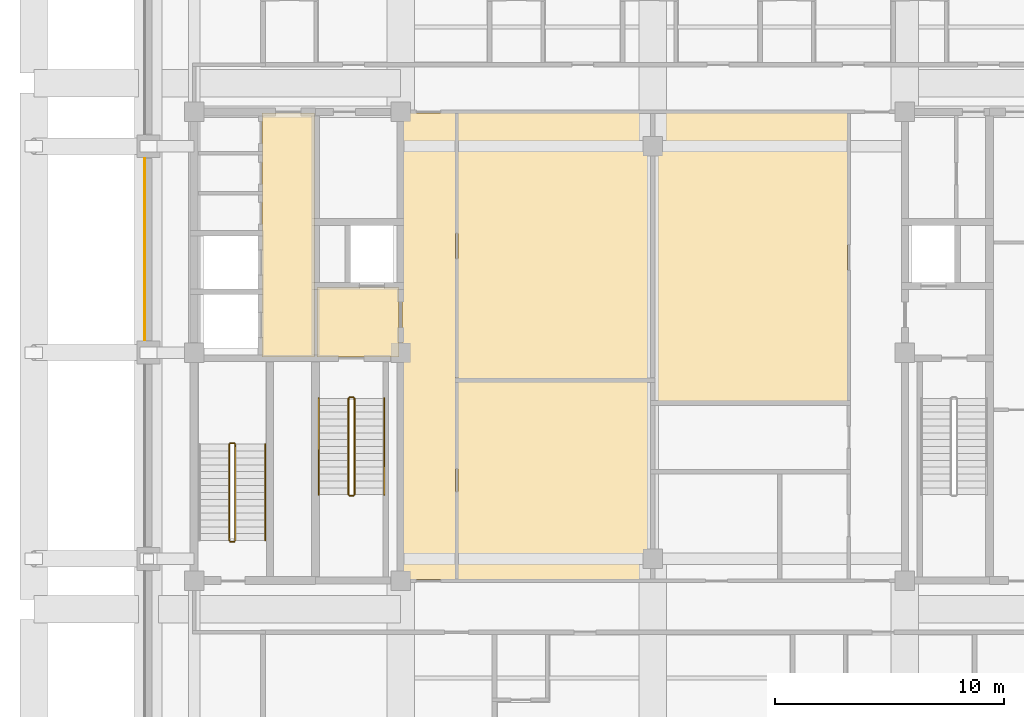
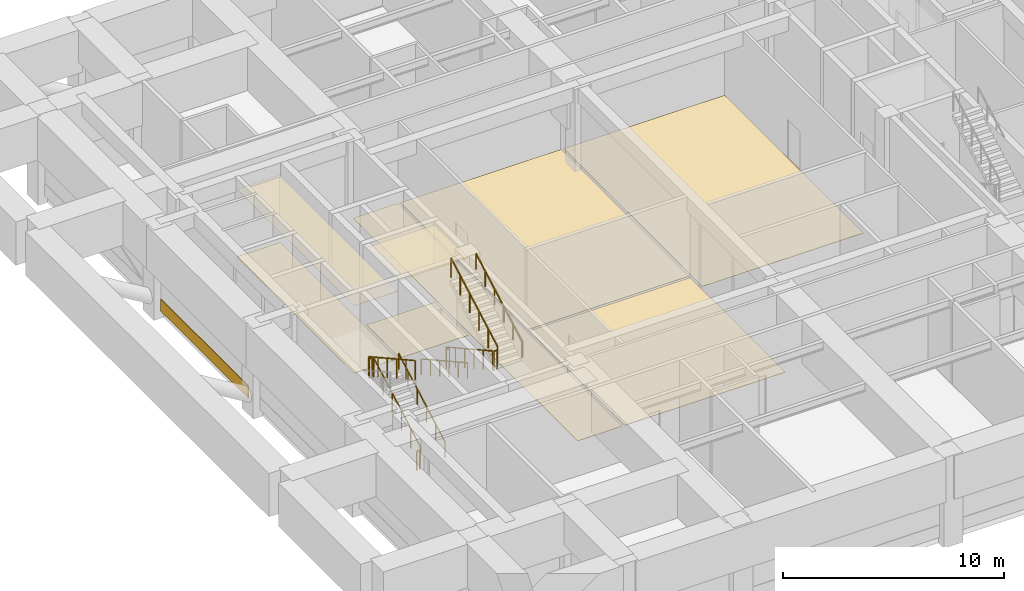
# One storey, part 9 of 11: 11 railings, 9 coverings.
"""IFC4 building model written with IfcOpenShell, lengths in metres."""

from ifc_helpers import new_model, si_unit, direction, frame, frame_2d, origin, origin_2d, place, context, subcontext, project, spatial, polyline, rectangle, outline, extrude, material, layer, layer_set, type_object, element, save


model = new_model("IFC4")

# Units and contexts
model_context = context("Model", 3, precision=1e-05, world=origin(), true_north=direction((0.0, 1.0)))
body_context = subcontext(model_context, "Body", "Model", "MODEL_VIEW")
ifc_project = project(units=[si_unit("LENGTHUNIT", "METRE"), si_unit("AREAUNIT", "SQUARE_METRE"), si_unit("VOLUMEUNIT", "CUBIC_METRE"), si_unit("PLANEANGLEUNIT", "RADIAN"), si_unit("MASSUNIT", "GRAM", prefix="KILO")], contexts=[model_context])

# Site, building, storey
site_placement = place(None, origin())
site = spatial("IfcSite", under=ifc_project, at=site_placement, CompositionType="ELEMENT")
building_placement = place(site_placement, origin())
building = spatial("IfcBuilding", under=site, at=building_placement, Name="Zulmaris Gate Convention Tower", CompositionType="ELEMENT")
storey_placement = place(building_placement, frame((0.0, 0.0, 186.4599609375)))
storey = spatial("IfcBuildingStorey", under=building, at=storey_placement, Name="L48", CompositionType="ELEMENT", Elevation=186.4599609375)

# Coverings
ifc_material_1 = material(Name="Precast concrete C40/50", Category="concrete")
ifc_layer_1 = layer(ifc_material_1, 0.0400390625, Name="Precast concrete C40/50")
ifc_layer_set_1 = layer_set([ifc_layer_1], Name="Precast concrete C40/50")
covering_type_1 = type_object("IfcCoveringType", Name="CLAD-SPANDREL-PRECAST", PredefinedType="CLADDING", material=ifc_layer_set_1)
covering_1_placement = place(storey_placement, frame((-22.14990234375, 8.469970703125, 0.0), z_axis=(0.0, 0.0, 1.0), x_axis=(0.0, -1.0, 0.0)))
element("IfcCovering", 1, at=covering_1_placement, inside=storey, type_object=covering_type_1, Name="CLD-L48-W-2_0", PredefinedType="CLADDING", context=body_context, shape_type="SweptSolid", body=[
    extrude(rectangle(XDim=7.93994140625, YDim=0.0400390625, at=frame_2d((3.969970703125, 0.0))), origin(), (0.0, 0.0, 1.0), 0.679931640625),
])
ifc_material_2 = material(Name="Mineral Fibre Acoustic Ceiling Tile")
ifc_layer_2 = layer(ifc_material_2, 0.02001953125, Name="Mineral Fibre Acoustic Ceiling Tile")
ifc_layer_set_2 = layer_set([ifc_layer_2], Name="Mineral Fibre Acoustic Ceiling Tile")
covering_type_2 = type_object("IfcCoveringType", Name="CLG-ACOUSTIC-600", PredefinedType="CEILING", material=ifc_layer_set_2)
covering_2_placement = place(storey_placement, frame((0.0, 0.0, 4.294921875)))
element("IfcCovering", 2, at=covering_2_placement, inside=storey, type_object=covering_type_2, Name="CLG-L48-R03", PredefinedType="CEILING", context=body_context, shape_type="SweptSolid", body=[
    extrude(outline(polyline([(-14.639892578125, -0.18994140625), (-11.06005859375, -0.18994140625), (-11.06005859375, 2.840087890625), (-14.639892578125, 2.840087890625), (-14.639892578125, -0.18994140625)])), origin(), (0.0, 0.0, 1.0), 0.02001953125),
])
covering_3_placement = place(storey_placement, frame((0.0, 0.0, 3.735107421875)))
element("IfcCovering", 3, at=covering_3_placement, inside=storey, type_object=covering_type_2, Name="CLG-L48-R18", PredefinedType="CEILING", context=body_context, shape_type="SweptSolid", body=[
    extrude(outline(polyline([(-17.0400390625, -0.18994140625), (-14.760009765625, -0.18994140625), (-14.760009765625, 10.43994140625), (-17.0400390625, 10.43994140625), (-17.0400390625, -0.18994140625)])), origin(), (0.0, 0.0, 1.0), 0.02001953125),
])
ifc_material_3 = material(Name="Woven Acoustic Wool Carpet Tile")
ifc_layer_3 = layer(ifc_material_3, 0.02001953125, Name="Woven Acoustic Wool Carpet Tile")
ifc_layer_set_3 = layer_set([ifc_layer_3], Name="Woven Acoustic Wool Carpet Tile")
covering_type_3 = type_object("IfcCoveringType", Name="FLR-CARPET-12", PredefinedType="FLOORING", material=ifc_layer_set_3)
covering_4_placement = place(storey_placement, origin())
element("IfcCovering", 4, at=covering_4_placement, inside=storey, type_object=covering_type_3, Name="FLR-L48-R03", PredefinedType="FLOORING", context=body_context, shape_type="SweptSolid", body=[
    extrude(outline(polyline([(-14.639892578125, -0.18994140625), (-11.06005859375, -0.18994140625), (-11.06005859375, 2.840087890625), (-14.639892578125, 2.840087890625), (-14.639892578125, -0.18994140625)])), origin(), (0.0, 0.0, 1.0), 0.02001953125),
])
covering_5_placement = place(storey_placement, origin())
element("IfcCovering", 5, at=covering_5_placement, inside=storey, type_object=covering_type_3, Name="FLR-L48-R18", PredefinedType="FLOORING", context=body_context, shape_type="SweptSolid", body=[
    extrude(outline(polyline([(-17.0400390625, -0.18994140625), (-14.760009765625, -0.18994140625), (-14.760009765625, 10.43994140625), (-17.0400390625, 10.43994140625), (-17.0400390625, -0.18994140625)])), origin(), (0.0, 0.0, 1.0), 0.02001953125),
])
covering_6_placement = place(storey_placement, origin())
element("IfcCovering", 6, at=covering_6_placement, inside=storey, type_object=covering_type_3, Name="FLR-L48-R31", PredefinedType="FLOORING", context=body_context, shape_type="SweptSolid", body=[
    extrude(outline(polyline([(-10.93994140625, -9.889892578125), (-8.610107421875, -9.889892578125), (-8.610107421875, 10.43994140625), (-10.93994140625, 10.43994140625), (-10.93994140625, -9.889892578125)])), origin(), (0.0, 0.0, 1.0), 0.02001953125),
])
covering_7_placement = place(storey_placement, origin())
element("IfcCovering", 7, at=covering_7_placement, inside=storey, type_object=covering_type_3, Name="FLR-L48-R53", PredefinedType="FLOORING", context=body_context, shape_type="SweptSolid", body=[
    extrude(outline(polyline([(-8.489990234375, -9.889892578125), (-0.06005859375, -9.889892578125), (-0.06005859375, -1.260009765625), (-8.489990234375, -1.260009765625), (-8.489990234375, -9.889892578125)])), origin(), (0.0, 0.0, 1.0), 0.02001953125),
])
ifc_material_4 = material(Name="Engineered Teak Parquet Flooring")
ifc_layer_4 = layer(ifc_material_4, 0.02001953125, Name="Engineered Teak Parquet Flooring")
ifc_layer_set_4 = layer_set([ifc_layer_4], Name="Engineered Teak Parquet Flooring")
covering_type_4 = type_object("IfcCoveringType", Name="FLR-TIMBER-18", PredefinedType="FLOORING", material=ifc_layer_set_4)
covering_8_placement = place(storey_placement, origin())
element("IfcCovering", 8, at=covering_8_placement, inside=storey, type_object=covering_type_4, Name="FLR-L48-R52", PredefinedType="FLOORING", context=body_context, shape_type="SweptSolid", body=[
    extrude(outline(polyline([(-8.489990234375, -1.139892578125), (-0.06005859375, -1.139892578125), (-0.06005859375, 10.43994140625), (-8.489990234375, 10.43994140625), (-8.489990234375, -1.139892578125)])), origin(), (0.0, 0.0, 1.0), 0.02001953125),
])
covering_9_placement = place(storey_placement, origin())
element("IfcCovering", 9, at=covering_9_placement, inside=storey, type_object=covering_type_4, Name="FLR-L48-R54", PredefinedType="FLOORING", context=body_context, shape_type="SweptSolid", body=[
    extrude(outline(polyline([(0.06005859375, -2.139892578125), (8.489990234375, -2.139892578125), (8.489990234375, 10.43994140625), (0.06005859375, 10.43994140625), (0.06005859375, -2.139892578125)])), origin(), (0.0, 0.0, 1.0), 0.02001953125),
])

# Railings
ifc_material_5 = material(Name="Painted Galvanised Steel", Category="steel")
railing_type_1 = type_object("IfcRailingType", Name="RL-STG-1150", PredefinedType="GUARDRAIL", material=ifc_material_5)
railing_1_placement = place(storey_placement, frame((-13.27001953125, -2.0, 0.166748046875)))
element("IfcRailing", 10, at=railing_1_placement, inside=storey, type_object=railing_type_1, Name="L48 ST-1 stair guard 1", PredefinedType="GUARDRAIL", context=body_context, shape_type="SweptSolid", body=[
    extrude(rectangle(XDim=0.048095703125, YDim=0.048095703125, at=origin_2d()), frame((0.0, 0.0, 1.076171875), z_axis=(0.0, -0.874162069901, 0.485634302275), x_axis=(1.0, 0.0, 0.0)), (0.0, 0.0, 1.0), 4.804443359375),
    extrude(rectangle(XDim=0.0419921875, YDim=0.0419921875, at=origin_2d()), origin(), (0.0, 0.0, 1.0), 1.052001953125),
    extrude(rectangle(XDim=0.0419921875, YDim=0.0419921875, at=origin_2d()), frame((0.0, -0.840087890625, 0.466552734375)), (0.0, 0.0, 1.0), 1.052001953125),
    extrude(rectangle(XDim=0.0419921875, YDim=0.0419921875, at=origin_2d()), frame((0.0, -1.679931640625, 0.933349609375)), (0.0, 0.0, 1.0), 1.052001953125),
    extrude(rectangle(XDim=0.0419921875, YDim=0.0419921875, at=origin_2d()), frame((0.0, -2.52001953125, 1.39990234375)), (0.0, 0.0, 1.0), 1.052001953125),
    extrude(rectangle(XDim=0.0419921875, YDim=0.0419921875, at=origin_2d()), frame((0.0, -3.35986328125, 1.86669921875)), (0.0, 0.0, 1.0), 1.052001953125),
    extrude(rectangle(XDim=0.0419921875, YDim=0.0419921875, at=origin_2d()), frame((0.0, -4.199951171875, 2.333251953125)), (0.0, 0.0, 1.0), 1.052001953125),
])
railing_2_placement = place(storey_placement, frame((-13.219970703125, -6.25, 2.5)))
element("IfcRailing", 11, at=railing_2_placement, inside=storey, type_object=railing_type_1, Name="L48 ST-1 stair guard 2", PredefinedType="GUARDRAIL", context=body_context, shape_type="SweptSolid", body=[
    extrude(rectangle(XDim=0.048095703125, YDim=0.048095703125, at=origin_2d()), frame((0.0, 0.0, 1.076171875), z_axis=(1.0, 0.0, 0.0), x_axis=(0.0, 1.0, 0.0)), (0.0, 0.0, 1.0), 0.159912109375),
    extrude(rectangle(XDim=0.0419921875, YDim=0.0419921875, at=origin_2d()), origin(), (0.0, 0.0, 1.0), 1.052001953125),
    extrude(rectangle(XDim=0.0419921875, YDim=0.0419921875, at=origin_2d()), frame((0.159912109375, 0.0, 0.0)), (0.0, 0.0, 1.0), 1.052001953125),
])
railing_3_placement = place(storey_placement, frame((-13.010009765625, -6.199951171875, 2.666748046875)))
element("IfcRailing", 12, at=railing_3_placement, inside=storey, type_object=railing_type_1, Name="L48 ST-1 stair guard 3", PredefinedType="GUARDRAIL", context=body_context, shape_type="SweptSolid", body=[
    extrude(rectangle(XDim=0.048095703125, YDim=0.048095703125, at=origin_2d()), frame((0.0, 0.0, 1.076171875), z_axis=(0.0, 0.874162069901, 0.485634302275), x_axis=(-1.0, 0.0, 0.0)), (0.0, 0.0, 1.0), 4.804443359375),
    extrude(rectangle(XDim=0.0419921875, YDim=0.0419921875, at=origin_2d()), origin(), (0.0, 0.0, 1.0), 1.052001953125),
    extrude(rectangle(XDim=0.0419921875, YDim=0.0419921875, at=origin_2d()), frame((0.0, 0.840087890625, 0.466552734375)), (0.0, 0.0, 1.0), 1.052001953125),
    extrude(rectangle(XDim=0.0419921875, YDim=0.0419921875, at=origin_2d()), frame((0.0, 1.679931640625, 0.933349609375)), (0.0, 0.0, 1.0), 1.052001953125),
    extrude(rectangle(XDim=0.0419921875, YDim=0.0419921875, at=origin_2d()), frame((0.0, 2.52001953125, 1.39990234375)), (0.0, 0.0, 1.0), 1.052001953125),
    extrude(rectangle(XDim=0.0419921875, YDim=0.0419921875, at=origin_2d()), frame((0.0, 3.35986328125, 1.86669921875)), (0.0, 0.0, 1.0), 1.052001953125),
    extrude(rectangle(XDim=0.0419921875, YDim=0.0419921875, at=origin_2d()), frame((0.0, 4.199951171875, 2.333251953125)), (0.0, 0.0, 1.0), 1.052001953125),
])
railing_4_placement = place(storey_placement, frame((-13.219970703125, -1.949951171875, 0.0)))
element("IfcRailing", 13, at=railing_4_placement, inside=storey, type_object=railing_type_1, Name="L48 ST-1 stair guard 4", PredefinedType="GUARDRAIL", context=body_context, shape_type="SweptSolid", body=[
    extrude(rectangle(XDim=0.048095703125, YDim=0.048095703125, at=origin_2d()), frame((0.0, 0.0, 1.076171875), z_axis=(1.0, 0.0, 0.0), x_axis=(0.0, 1.0, 0.0)), (0.0, 0.0, 1.0), 0.159912109375),
    extrude(rectangle(XDim=0.0419921875, YDim=0.0419921875, at=origin_2d()), origin(), (0.0, 0.0, 1.0), 1.052001953125),
    extrude(rectangle(XDim=0.0419921875, YDim=0.0419921875, at=origin_2d()), frame((0.159912109375, 0.0, 0.0)), (0.0, 0.0, 1.0), 1.052001953125),
])
railing_5_placement = place(storey_placement, frame((-18.2099609375, -8.199951171875, 0.166748046875)))
element("IfcRailing", 14, at=railing_5_placement, inside=storey, type_object=railing_type_1, Name="L48 ST-3 stair guard 1", PredefinedType="GUARDRAIL", context=body_context, shape_type="SweptSolid", body=[
    extrude(rectangle(XDim=0.048095703125, YDim=0.048095703125, at=origin_2d()), frame((0.0, 0.0, 1.076171875), z_axis=(0.0, 0.874162069901, 0.485634302275), x_axis=(-1.0, 0.0, 0.0)), (0.0, 0.0, 1.0), 4.804443359375),
    extrude(rectangle(XDim=0.0419921875, YDim=0.0419921875, at=origin_2d()), origin(), (0.0, 0.0, 1.0), 1.052001953125),
    extrude(rectangle(XDim=0.0419921875, YDim=0.0419921875, at=origin_2d()), frame((0.0, 0.840087890625, 0.466552734375)), (0.0, 0.0, 1.0), 1.052001953125),
    extrude(rectangle(XDim=0.0419921875, YDim=0.0419921875, at=origin_2d()), frame((0.0, 1.679931640625, 0.933349609375)), (0.0, 0.0, 1.0), 1.052001953125),
    extrude(rectangle(XDim=0.0419921875, YDim=0.0419921875, at=origin_2d()), frame((0.0, 2.52001953125, 1.39990234375)), (0.0, 0.0, 1.0), 1.052001953125),
    extrude(rectangle(XDim=0.0419921875, YDim=0.0419921875, at=origin_2d()), frame((0.0, 3.35986328125, 1.86669921875)), (0.0, 0.0, 1.0), 1.052001953125),
    extrude(rectangle(XDim=0.0419921875, YDim=0.0419921875, at=origin_2d()), frame((0.0, 4.199951171875, 2.333251953125)), (0.0, 0.0, 1.0), 1.052001953125),
])
railing_6_placement = place(storey_placement, frame((-18.260009765625, -3.949951171875, 2.5)))
element("IfcRailing", 15, at=railing_6_placement, inside=storey, type_object=railing_type_1, Name="L48 ST-3 stair guard 2", PredefinedType="GUARDRAIL", context=body_context, shape_type="SweptSolid", body=[
    extrude(rectangle(XDim=0.048095703125, YDim=0.048095703125, at=origin_2d()), frame((0.0, 0.0, 1.076171875), z_axis=(-1.0, 0.0, 0.0), x_axis=(0.0, -1.0, 0.0)), (0.0, 0.0, 1.0), 0.159912109375),
    extrude(rectangle(XDim=0.0419921875, YDim=0.0419921875, at=origin_2d()), origin(), (0.0, 0.0, 1.0), 1.052001953125),
    extrude(rectangle(XDim=0.0419921875, YDim=0.0419921875, at=origin_2d()), frame((-0.159912109375, 0.0, 0.0)), (0.0, 0.0, 1.0), 1.052001953125),
])
railing_7_placement = place(storey_placement, frame((-18.469970703125, -4.0, 2.666748046875)))
element("IfcRailing", 16, at=railing_7_placement, inside=storey, type_object=railing_type_1, Name="L48 ST-3 stair guard 3", PredefinedType="GUARDRAIL", context=body_context, shape_type="SweptSolid", body=[
    extrude(rectangle(XDim=0.048095703125, YDim=0.048095703125, at=origin_2d()), frame((0.0, 0.0, 1.076171875), z_axis=(0.0, -0.874162069901, 0.485634302275), x_axis=(1.0, 0.0, 0.0)), (0.0, 0.0, 1.0), 4.804443359375),
    extrude(rectangle(XDim=0.0419921875, YDim=0.0419921875, at=origin_2d()), origin(), (0.0, 0.0, 1.0), 1.052001953125),
    extrude(rectangle(XDim=0.0419921875, YDim=0.0419921875, at=origin_2d()), frame((0.0, -0.840087890625, 0.466552734375)), (0.0, 0.0, 1.0), 1.052001953125),
    extrude(rectangle(XDim=0.0419921875, YDim=0.0419921875, at=origin_2d()), frame((0.0, -1.679931640625, 0.933349609375)), (0.0, 0.0, 1.0), 1.052001953125),
    extrude(rectangle(XDim=0.0419921875, YDim=0.0419921875, at=origin_2d()), frame((0.0, -2.52001953125, 1.39990234375)), (0.0, 0.0, 1.0), 1.052001953125),
    extrude(rectangle(XDim=0.0419921875, YDim=0.0419921875, at=origin_2d()), frame((0.0, -3.35986328125, 1.86669921875)), (0.0, 0.0, 1.0), 1.052001953125),
    extrude(rectangle(XDim=0.0419921875, YDim=0.0419921875, at=origin_2d()), frame((0.0, -4.199951171875, 2.333251953125)), (0.0, 0.0, 1.0), 1.052001953125),
])
railing_8_placement = place(storey_placement, frame((-18.260009765625, -8.25, 0.0)))
element("IfcRailing", 17, at=railing_8_placement, inside=storey, type_object=railing_type_1, Name="L48 ST-3 stair guard 4", PredefinedType="GUARDRAIL", context=body_context, shape_type="SweptSolid", body=[
    extrude(rectangle(XDim=0.048095703125, YDim=0.048095703125, at=origin_2d()), frame((0.0, 0.0, 1.076171875), z_axis=(-1.0, 0.0, 0.0), x_axis=(0.0, -1.0, 0.0)), (0.0, 0.0, 1.0), 0.159912109375),
    extrude(rectangle(XDim=0.0419921875, YDim=0.0419921875, at=origin_2d()), origin(), (0.0, 0.0, 1.0), 1.052001953125),
    extrude(rectangle(XDim=0.0419921875, YDim=0.0419921875, at=origin_2d()), frame((-0.159912109375, 0.0, 0.0)), (0.0, 0.0, 1.0), 1.052001953125),
])
ifc_material_6 = material(Name="Brushed Stainless Steel", Category="steel")
railing_type_2 = type_object("IfcRailingType", Name="RL-STH-900", PredefinedType="HANDRAIL", material=ifc_material_6)
railing_9_placement = place(storey_placement, frame((-14.570068359375, -2.0, 0.166748046875)))
element("IfcRailing", 18, at=railing_9_placement, inside=storey, type_object=railing_type_2, Name="L48 ST-1 stair handrail 1", PredefinedType="HANDRAIL", context=body_context, shape_type="SweptSolid", body=[
    extrude(rectangle(XDim=0.048095703125, YDim=0.048095703125, at=origin_2d()), frame((0.0, 0.0, 0.8759765625), z_axis=(0.0, -0.874162069901, 0.485634302275), x_axis=(1.0, 0.0, 0.0)), (0.0, 0.0, 1.0), 4.804443359375),
    extrude(rectangle(XDim=0.0419921875, YDim=0.0419921875, at=origin_2d()), origin(), (0.0, 0.0, 1.0), 0.851806640625),
    extrude(rectangle(XDim=0.0419921875, YDim=0.0419921875, at=origin_2d()), frame((0.0, -0.840087890625, 0.466552734375)), (0.0, 0.0, 1.0), 0.851806640625),
    extrude(rectangle(XDim=0.0419921875, YDim=0.0419921875, at=origin_2d()), frame((0.0, -1.679931640625, 0.933349609375)), (0.0, 0.0, 1.0), 0.851806640625),
    extrude(rectangle(XDim=0.0419921875, YDim=0.0419921875, at=origin_2d()), frame((0.0, -2.52001953125, 1.39990234375)), (0.0, 0.0, 1.0), 0.851806640625),
    extrude(rectangle(XDim=0.0419921875, YDim=0.0419921875, at=origin_2d()), frame((0.0, -3.35986328125, 1.86669921875)), (0.0, 0.0, 1.0), 0.851806640625),
    extrude(rectangle(XDim=0.0419921875, YDim=0.0419921875, at=origin_2d()), frame((0.0, -4.199951171875, 2.333251953125)), (0.0, 0.0, 1.0), 0.851806640625),
])
for number, where, name in (
    (19, (-11.7099609375, -6.199951171875, 2.666748046875), "L48 ST-1 stair handrail 2"),
    (20, (-16.909912109375, -8.199951171875, 0.166748046875), "L48 ST-3 stair handrail 1"),
):
    element("IfcRailing", number, at=place(storey_placement, frame(where)), inside=storey, type_object=railing_type_2, Name=name, PredefinedType="HANDRAIL", context=body_context, shape_type="SweptSolid", body=[
        extrude(rectangle(XDim=0.048095703125, YDim=0.048095703125, at=origin_2d()), frame((0.0, 0.0, 0.8759765625), z_axis=(0.0, 0.874162069901, 0.485634302275), x_axis=(-1.0, 0.0, 0.0)), (0.0, 0.0, 1.0), 4.804443359375),
        extrude(rectangle(XDim=0.0419921875, YDim=0.0419921875, at=origin_2d()), origin(), (0.0, 0.0, 1.0), 0.851806640625),
        extrude(rectangle(XDim=0.0419921875, YDim=0.0419921875, at=origin_2d()), frame((0.0, 0.840087890625, 0.466552734375)), (0.0, 0.0, 1.0), 0.851806640625),
        extrude(rectangle(XDim=0.0419921875, YDim=0.0419921875, at=origin_2d()), frame((0.0, 1.679931640625, 0.933349609375)), (0.0, 0.0, 1.0), 0.851806640625),
        extrude(rectangle(XDim=0.0419921875, YDim=0.0419921875, at=origin_2d()), frame((0.0, 2.52001953125, 1.39990234375)), (0.0, 0.0, 1.0), 0.851806640625),
        extrude(rectangle(XDim=0.0419921875, YDim=0.0419921875, at=origin_2d()), frame((0.0, 3.35986328125, 1.86669921875)), (0.0, 0.0, 1.0), 0.851806640625),
        extrude(rectangle(XDim=0.0419921875, YDim=0.0419921875, at=origin_2d()), frame((0.0, 4.199951171875, 2.333251953125)), (0.0, 0.0, 1.0), 0.851806640625),
    ])

save(model, "model.ifc")
